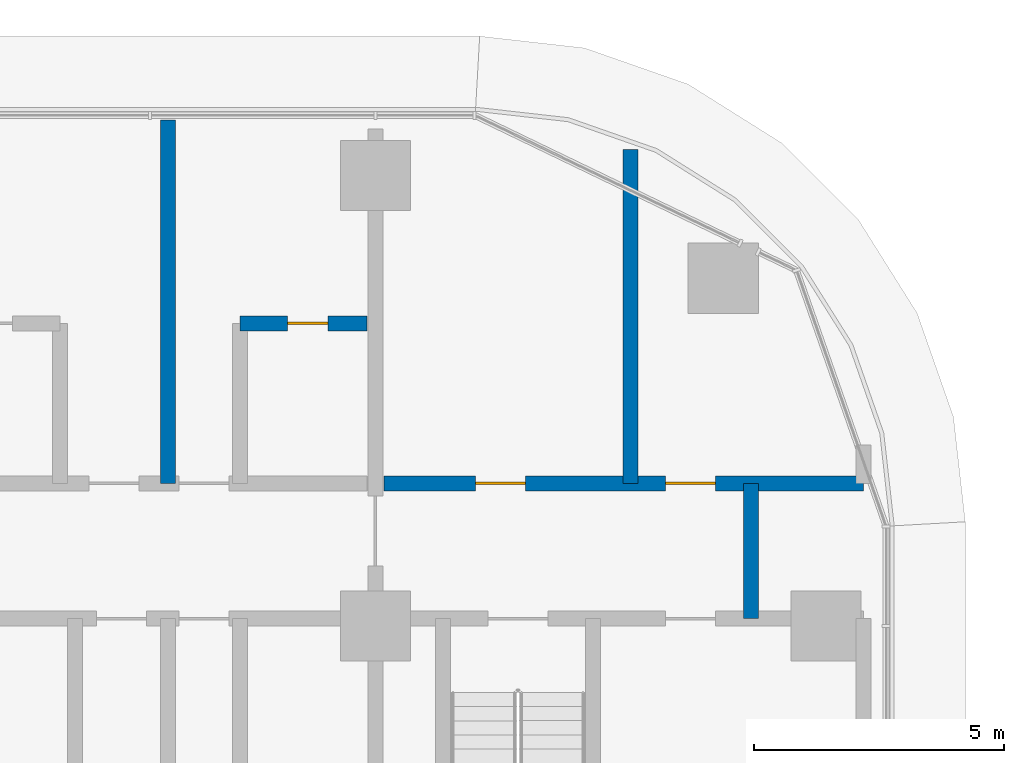
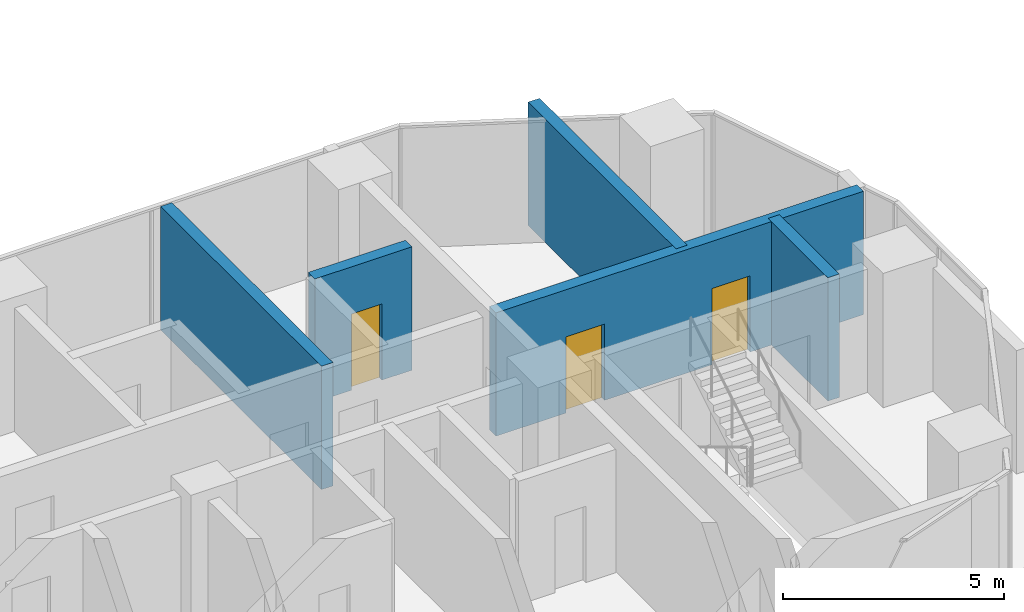
# One storey, part 22 of 39: 5 walls, 3 doors, 3 openings.
"""IFC4 building model written with IfcOpenShell, lengths in metres."""

from ifc_helpers import new_model, si_unit, direction, frame, frame_2d, origin, place, context, subcontext, project, spatial, rectangle, extrude, material, layer, layer_set, type_object, element, fill, save


model = new_model("IFC4")

# Units and contexts
model_context = context("Model", 3, precision=1e-05, world=origin(), true_north=direction((0.0, 1.0)))
body_context = subcontext(model_context, "Body", "Model", "MODEL_VIEW")
ifc_project = project(units=[si_unit("LENGTHUNIT", "METRE"), si_unit("AREAUNIT", "SQUARE_METRE"), si_unit("VOLUMEUNIT", "CUBIC_METRE"), si_unit("PLANEANGLEUNIT", "RADIAN"), si_unit("MASSUNIT", "GRAM", prefix="KILO")], contexts=[model_context])

# Site, building, storey
site_placement = place(None, origin())
site = spatial("IfcSite", under=ifc_project, at=site_placement, CompositionType="ELEMENT")
building_placement = place(site_placement, origin())
building = spatial("IfcBuilding", under=site, at=building_placement, Name="Ogive Portal Towers", CompositionType="ELEMENT")
storey_placement = place(building_placement, frame((0.0, 0.0, 44.60009765625)))
storey = spatial("IfcBuildingStorey", under=building, at=storey_placement, Name="L09", CompositionType="ELEMENT", Elevation=44.60009765625)

# Wall, openings, doors
ifc_material_1 = material(Name="Gypsum board partition on steel studs", Category="steel")
ifc_layer_1 = layer(ifc_material_1, 0.300048828125)
ifc_layer_set_1 = layer_set([ifc_layer_1], Name="WT-PART-300-EI 120")
wall_type_1 = type_object("IfcWallType", Name="WT-PART-300-EI 120", PredefinedType="PARTITIONING", material=ifc_layer_set_1)
wall_1_placement = place(storey_placement, frame((85.669921875, 33.35009765625, 0.0), z_axis=(0.0, 0.0, 1.0), x_axis=(1.0, 0.0, 0.0)))
wall_1 = element("IfcWall", 1, at=wall_1_placement, inside=storey, type_object=wall_type_1, Name="Wall L09:w009", PredefinedType="PARTITIONING", context=body_context, shape_type="SweptSolid", body=[
    extrude(rectangle(XDim=9.580078125, YDim=0.300048828125, at=frame_2d((4.7900390625, 0.0))), origin(), (0.0, 0.0, 1.0), 3.39990234375),
])
opening_1_placement = place(wall_1_placement, frame((1.830078125, 0.0, 0.0)))
opening_1 = element("IfcOpeningElement", 2, at=opening_1_placement, cuts=wall_1, Name="Opening D02-065", PredefinedType="OPENING", context=body_context, shape_type="SweptSolid", body=[
    extrude(rectangle(XDim=1.0, YDim=2.10009765625, at=frame_2d((0.5, 1.050048828125))), frame((0.0, 0.16015625, 0.0), z_axis=(0.0, -1.0, 0.0), x_axis=(1.0, 0.0, 0.0)), (0.0, 0.0, 1.0), 0.320068359375),
])
opening_2_placement = place(wall_1_placement, frame((5.6298828125, 0.0, 0.0)))
opening_2 = element("IfcOpeningElement", 3, at=opening_2_placement, cuts=wall_1, Name="Opening D02-066", PredefinedType="OPENING", context=body_context, shape_type="SweptSolid", body=[
    extrude(rectangle(XDim=1.0, YDim=2.10009765625, at=frame_2d((0.5, 1.050048828125))), frame((0.0, 0.16015625, 0.0), z_axis=(0.0, -1.0, 0.0), x_axis=(1.0, 0.0, 0.0)), (0.0, 0.0, 1.0), 0.320068359375),
])
ifc_material_2 = material(Name="Steel fire door", Category="steel")
door_type_1 = type_object("IfcDoorType", Name="DT-SERVICE-1000x2100-FD90S", OperationType="SINGLE_SWING_LEFT", PredefinedType="DOOR", material=ifc_material_2)
door_1_placement = place(opening_1_placement, origin())
door_1 = element("IfcDoor", 4, at=door_1_placement, inside=storey, type_object=door_type_1, Name="Door D02-065", OperationType="SINGLE_SWING_LEFT", OverallHeight=2.10009765625, OverallWidth=1.0, PredefinedType="DOOR", context=body_context, shape_type="SweptSolid", body=[
    extrude(rectangle(XDim=1.0, YDim=2.10009765625, at=frame_2d((0.5, 1.050048828125))), frame((0.0, 0.02490234375, 0.0), z_axis=(0.0, -1.0, 0.0), x_axis=(1.0, 0.0, 0.0)), (0.0, 0.0, 1.0), 0.050048828125),
])
fill(opening_1, door_1)
door_2_placement = place(opening_2_placement, origin())
door_2 = element("IfcDoor", 5, at=door_2_placement, inside=storey, type_object=door_type_1, Name="Riser access door D02-066", OperationType="SINGLE_SWING_RIGHT", OverallHeight=2.10009765625, OverallWidth=1.0, PredefinedType="DOOR", context=body_context, shape_type="SweptSolid", body=[
    extrude(rectangle(XDim=1.0, YDim=2.10009765625, at=frame_2d((0.5, 1.050048828125))), frame((0.0, 0.02490234375, 0.0), z_axis=(0.0, -1.0, 0.0), x_axis=(1.0, 0.0, 0.0)), (0.0, 0.0, 1.0), 0.050048828125),
])
fill(opening_2, door_2)

# Wall
wall_2_placement = place(storey_placement, frame((93.0, 30.64990234375, 0.0), z_axis=(0.0, 0.0, 1.0), x_axis=(0.0, 1.0, 0.0)))
element("IfcWall", 6, at=wall_2_placement, inside=storey, type_object=wall_type_1, Name="Wall L09:w068", PredefinedType="PARTITIONING", context=body_context, shape_type="SweptSolid", body=[
    extrude(rectangle(XDim=2.7001953125, YDim=0.300048828125, at=frame_2d((1.35009765625, 0.0))), origin(), (0.0, 0.0, 1.0), 3.39990234375),
])

# Wall, opening, door
ifc_layer_2 = layer(ifc_material_1, 0.300048828125)
ifc_layer_set_2 = layer_set([ifc_layer_2], Name="WT-PART-300-EI 60")
wall_type_2 = type_object("IfcWallType", Name="WT-PART-300-EI 60", PredefinedType="PARTITIONING", material=ifc_layer_set_2)
wall_3_placement = place(storey_placement, frame((82.800048828125, 36.550048828125, 0.0), z_axis=(0.0, 0.0, 1.0), x_axis=(1.0, 0.0, 0.0)))
wall_3 = element("IfcWall", 7, at=wall_3_placement, inside=storey, type_object=wall_type_2, Name="Wall L09:w012", PredefinedType="PARTITIONING", context=body_context, shape_type="SweptSolid", body=[
    extrude(rectangle(XDim=2.530029296875, YDim=0.300048828125, at=frame_2d((1.26513671875, 0.0))), origin(), (0.0, 0.0, 1.0), 3.39990234375),
])
opening_3_placement = place(wall_3_placement, frame((0.949951171875, 0.0, 0.0)))
opening_3 = element("IfcOpeningElement", 8, at=opening_3_placement, cuts=wall_3, Name="Opening D02-039", PredefinedType="OPENING", context=body_context, shape_type="SweptSolid", body=[
    extrude(rectangle(XDim=0.800048828125, YDim=2.10009765625, at=frame_2d((0.39990234375, 1.050048828125))), frame((0.0, 0.16015625, 0.0), z_axis=(0.0, -1.0, 0.0), x_axis=(1.0, 0.0, 0.0)), (0.0, 0.0, 1.0), 0.320068359375),
])
door_type_2 = type_object("IfcDoorType", Name="DT-BATH-800x2100-FD60S", OperationType="SINGLE_SWING_LEFT", PredefinedType="DOOR", material=ifc_material_2)
door_3_placement = place(opening_3_placement, origin())
door_3 = element("IfcDoor", 9, at=door_3_placement, inside=storey, type_object=door_type_2, Name="Door D02-039", OperationType="SINGLE_SWING_RIGHT", OverallHeight=2.10009765625, OverallWidth=0.800048828125, PredefinedType="DOOR", context=body_context, shape_type="SweptSolid", body=[
    extrude(rectangle(XDim=0.800048828125, YDim=2.10009765625, at=frame_2d((0.39990234375, 1.050048828125))), frame((0.0, 0.02490234375, 0.0), z_axis=(0.0, -1.0, 0.0), x_axis=(1.0, 0.0, 0.0)), (0.0, 0.0, 1.0), 0.050048828125),
])
fill(opening_3, door_3)

# Walls
wall_4_placement = place(storey_placement, frame((81.360107421875, 33.35009765625, 0.0), z_axis=(0.0, 0.0, 1.0), x_axis=(0.0, 1.0, 0.0)))
element("IfcWall", 10, at=wall_4_placement, inside=storey, type_object=wall_type_2, Name="Wall L09:w062", PredefinedType="PARTITIONING", context=body_context, shape_type="SweptSolid", body=[
    extrude(rectangle(XDim=7.264892578125, YDim=0.300048828125, at=frame_2d((3.63232421875, 0.0))), origin(), (0.0, 0.0, 1.0), 3.39990234375),
])
wall_5_placement = place(storey_placement, frame((90.60009765625, 33.35009765625, 0.0), z_axis=(0.0, 0.0, 1.0), x_axis=(0.0, 1.0, 0.0)))
element("IfcWall", 11, at=wall_5_placement, inside=storey, type_object=wall_type_2, Name="Wall L09:w067", PredefinedType="PARTITIONING", context=body_context, shape_type="SweptSolid", body=[
    extrude(rectangle(XDim=6.671875, YDim=0.300048828125, at=frame_2d((3.3359375, 0.0))), origin(), (0.0, 0.0, 1.0), 3.39990234375),
])

save(model, "model.ifc")
